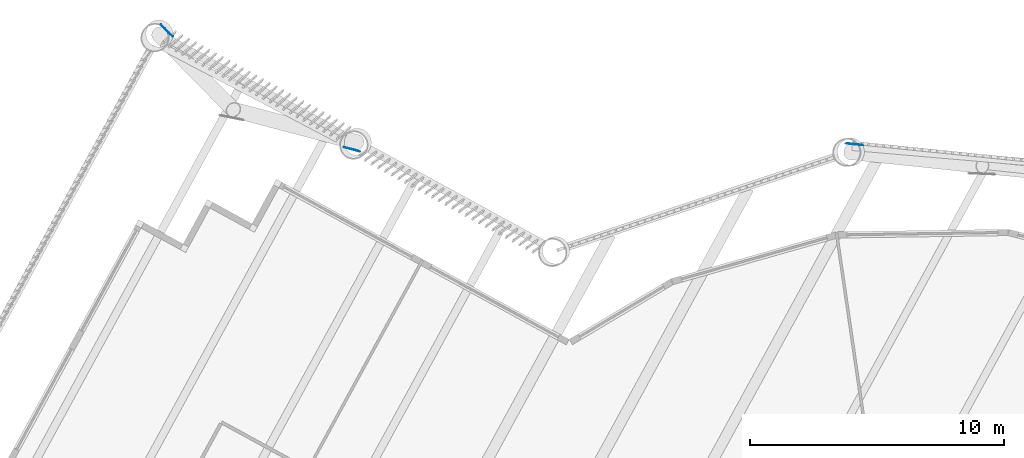
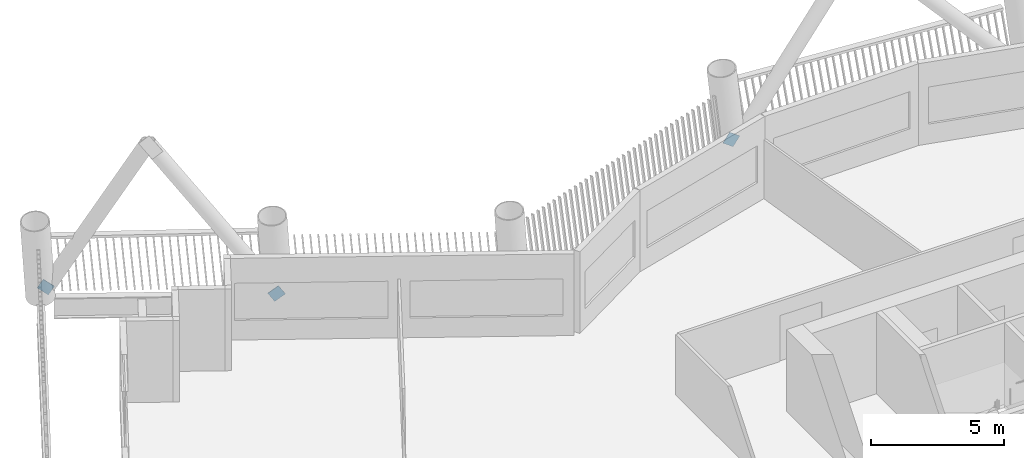
# One storey, part 15 of 24: 3 discrete accessories.
"""IFC4 building model written with IfcOpenShell, lengths in metres."""

from ifc_helpers import new_model, si_unit, direction, frame, origin, origin_2d, place, context, subcontext, project, spatial, rectangle, extrude, material, material_profile, profile_set, type_object, element, save


model = new_model("IFC4")

# Units and contexts
model_context = context("Model", 3, precision=1e-05, world=origin(), true_north=direction((0.0, 1.0)))
body_context = subcontext(model_context, "Body", "Model", "MODEL_VIEW")
ifc_project = project(units=[si_unit("LENGTHUNIT", "METRE"), si_unit("AREAUNIT", "SQUARE_METRE"), si_unit("VOLUMEUNIT", "CUBIC_METRE"), si_unit("PLANEANGLEUNIT", "RADIAN"), si_unit("MASSUNIT", "GRAM", prefix="KILO")], contexts=[model_context])

# Site, building, storey
site_placement = place(None, origin())
site = spatial("IfcSite", under=ifc_project, at=site_placement, CompositionType="ELEMENT")
building_placement = place(site_placement, origin())
building = spatial("IfcBuilding", under=site, at=building_placement, Name="Tarsis Ring Headquarters", CompositionType="ELEMENT")
storey_placement = place(building_placement, frame((0.0, 0.0, 163.199951171875)))
storey = spatial("IfcBuildingStorey", under=building, at=storey_placement, Name="L37", CompositionType="ELEMENT", Elevation=163.199951171875)

# Discrete accessories
ifc_material = material(Name="Structural steel S355", Category="steel")
ifc_material_profile = material_profile(ifc_material, rectangle(XDim=0.02490234375, YDim=0.5, at=origin_2d()), Name="PL 25x500")
ifc_profile_set = profile_set([ifc_material_profile], Name="Structural steel S355")
discrete_accessory_type = type_object("IfcDiscreteAccessoryType", Name="Gusset plate Exo brace 25", PredefinedType="BRACKET", material=ifc_profile_set)
for number, where, z_axis, x_axis, name in (
    (1, (-3.188720703125, 29.184814453125, 0.0), (0.55411691923, -0.05760863125, 0.830443065736), (0.103407411369, 0.994639083926, 0.0), "Gusset plate GP5"),
    (2, (-22.727294921875, 28.937744140625, 0.0), (-0.524914233069, 0.138186723682, 0.83986277291), (-0.254581858151, -0.967051227961, 0.0), "Gusset plate GP5"),
):
    element("IfcDiscreteAccessory", number, at=place(storey_placement, frame(where, z_axis=z_axis, x_axis=x_axis)), inside=storey, type_object=discrete_accessory_type, Name=name, PredefinedType="BRACKET", context=body_context, shape_type="SweptSolid", body=[
        extrude(rectangle(XDim=0.02490234375, YDim=0.5, at=origin_2d()), origin(), (0.0, 0.0, 1.0), 0.5),
    ])
discrete_accessory_placement = place(storey_placement, frame((-30.231689453125, 33.736572265625, 0.0), z_axis=(0.331454354197, -0.337312163108, 0.881112090317), x_axis=(0.713273055792, 0.700886258876, 0.0)))
element("IfcDiscreteAccessory", 3, at=discrete_accessory_placement, inside=storey, type_object=discrete_accessory_type, Name="Gusset plate GP5", PredefinedType="BRACKET", context=body_context, shape_type="SweptSolid", body=[
    extrude(rectangle(XDim=0.02490234375, YDim=0.5, at=origin_2d()), origin(), (0.0, 0.0, 1.0), 0.500244140625),
])

save(model, "model.ifc")
